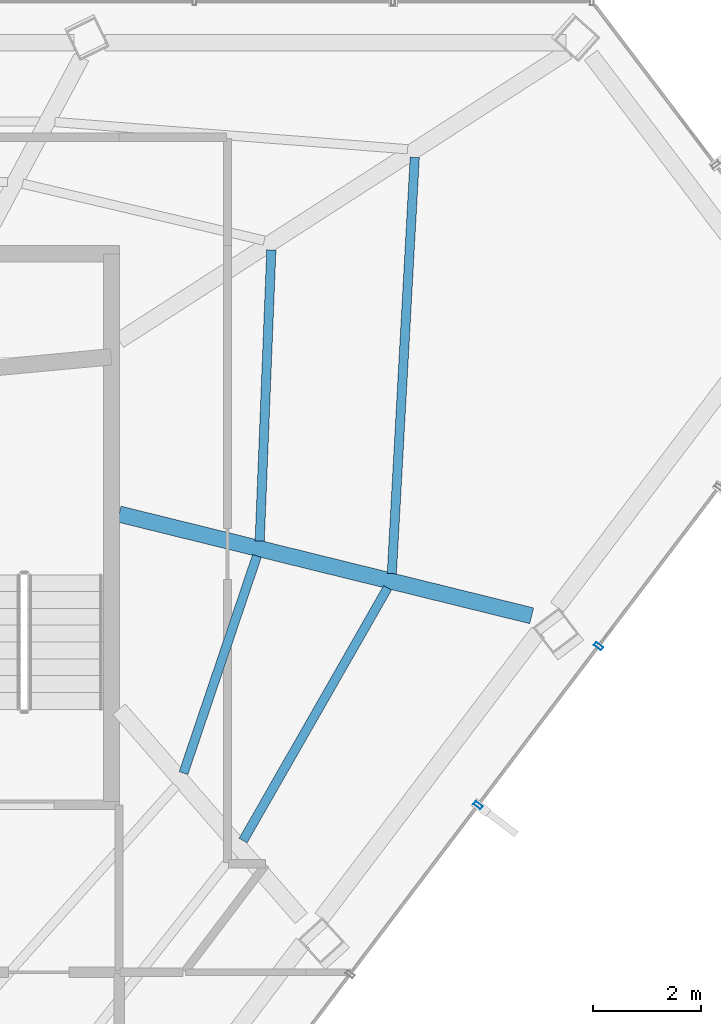
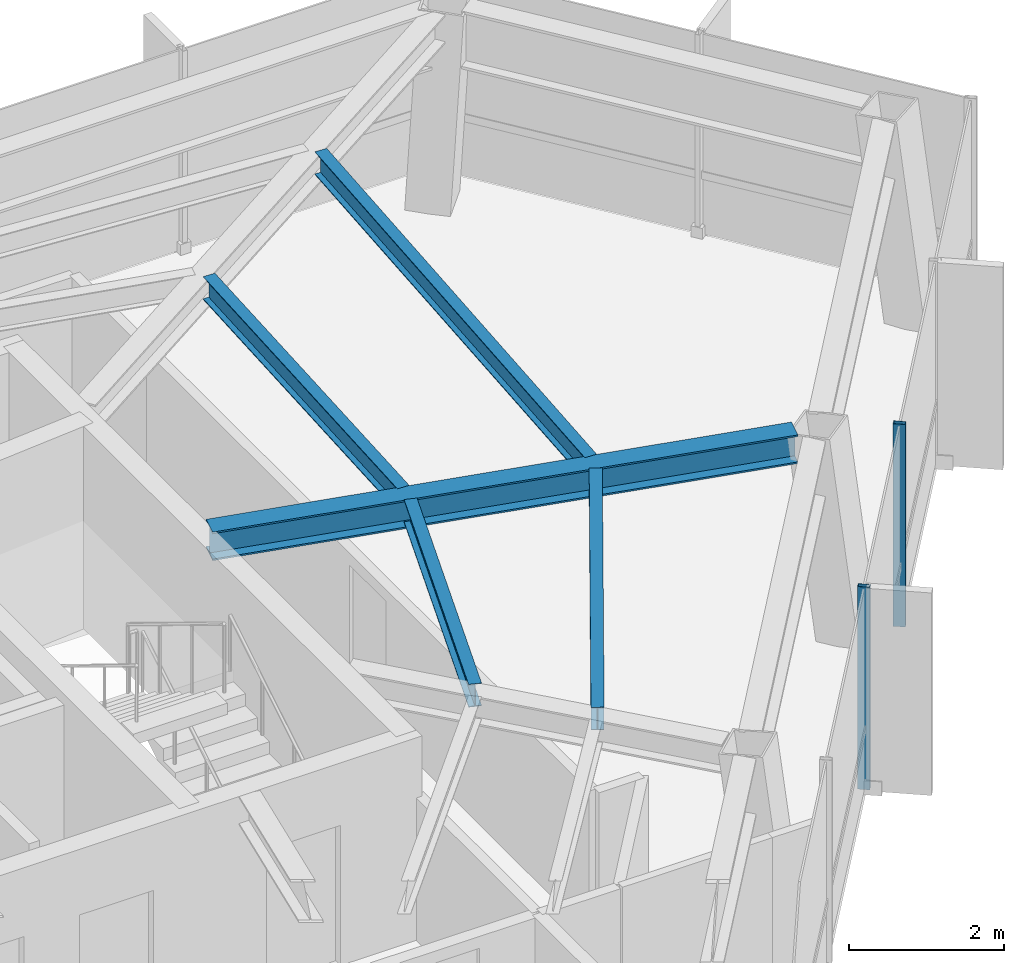
# One storey, part 17 of 25: 5 beams, 2 members, 1 element without a shape of its own.
"""IFC4 building model written with IfcOpenShell, lengths in metres."""

from ifc_helpers import new_model, si_unit, direction, frame, origin, origin_2d, place, context, subcontext, project, spatial, hollow_rectangle, i_section, extrude, material, layer, layer_set, material_profile, profile_set, type_object, element, aggregate, save


model = new_model("IFC4")

# Units and contexts
model_context = context("Model", 3, precision=1e-05, world=origin(), true_north=direction((0.0, 1.0)))
body_context = subcontext(model_context, "Body", "Model", "MODEL_VIEW")
ifc_project = project(units=[si_unit("LENGTHUNIT", "METRE"), si_unit("AREAUNIT", "SQUARE_METRE"), si_unit("VOLUMEUNIT", "CUBIC_METRE"), si_unit("PLANEANGLEUNIT", "RADIAN"), si_unit("MASSUNIT", "GRAM", prefix="KILO")], contexts=[model_context])

# Site, building, storey
site_placement = place(None, origin())
site = spatial("IfcSite", under=ifc_project, at=site_placement, CompositionType="ELEMENT")
building_placement = place(site_placement, origin())
building = spatial("IfcBuilding", under=site, at=building_placement, Name="Zarrinselat Tower", CompositionType="ELEMENT")
storey_placement = place(building_placement, frame((0.0, 0.0, 246.159912109375)))
storey = spatial("IfcBuildingStorey", under=building, at=storey_placement, Name="L62", CompositionType="ELEMENT", Elevation=246.159912109375)

# Beams
ifc_material_1 = material(Name="Steel S355J2", Category="steel")
ifc_material_profile_1 = material_profile(ifc_material_1, i_section(OverallWidth=0.300048828125, OverallDepth=0.449951171875, WebThickness=0.013916015625, FlangeThickness=0.02587890625, at=origin_2d()), Name="HEB 450")
ifc_profile_set_1 = profile_set([ifc_material_profile_1], Name="Steel S355J2")
beam_type_1 = type_object("IfcBeamType", Name="BM-HEB450", PredefinedType="BEAM", material=ifc_profile_set_1)
beam_1_placement = place(storey_placement, frame((48.35009765625, 38.60009765625, 2.955078125), z_axis=(0.970938071771, -0.239330860496, 0.0), x_axis=(0.239330860496, 0.970938071771, 0.0)))
element("IfcBeam", 1, at=beam_1_placement, inside=storey, type_object=beam_type_1, Name="L62 Radial Primary Girder RG14", PredefinedType="BEAM", context=body_context, shape_type="SweptSolid", body=[
    extrude(i_section(OverallWidth=0.300048828125, OverallDepth=0.449951171875, WebThickness=0.013916015625, FlangeThickness=0.02587890625, at=origin_2d()), origin(), (0.0, 0.0, 1.0), 7.83642578125),
])
ifc_material_2 = material(Name="Steel S355J2", Category="steel")
ifc_material_profile_2 = material_profile(ifc_material_2, i_section(OverallWidth=0.169921875, OverallDepth=0.360107421875, WebThickness=0.008056640625, FlangeThickness=0.0126953125, at=origin_2d()), Name="IPE 360")
ifc_profile_set_2 = profile_set([ifc_material_profile_2], Name="Steel S355J2")
beam_type_2 = type_object("IfcBeamType", Name="BM-IPE360", PredefinedType="JOIST", material=ifc_profile_set_2)
beam_2_placement = place(storey_placement, frame((50.63720703125, 32.578369140625, 3.0), z_axis=(0.496256433998, 0.868175991211, 0.0), x_axis=(-0.868175991211, 0.496256433998, 0.0)))
element("IfcBeam", 2, at=beam_2_placement, inside=storey, type_object=beam_type_2, Name="L62 Composite Floor Joist 4-1", PredefinedType="JOIST", context=body_context, shape_type="SweptSolid", body=[
    extrude(i_section(OverallWidth=0.169921875, OverallDepth=0.360107421875, WebThickness=0.008056640625, FlangeThickness=0.0126953125, at=origin_2d()), origin(), (0.0, 0.0, 1.0), 5.370361328125),
])
beam_3_placement = place(storey_placement, frame((49.537353515625, 33.822509765625, 3.0), z_axis=(0.320276679057, 0.947324046381, 0.0), x_axis=(-0.947324046381, 0.320276679057, 0.0)))
element("IfcBeam", 3, at=beam_3_placement, inside=storey, type_object=beam_type_2, Name="L62 Composite Floor Joist 4-2", PredefinedType="JOIST", context=body_context, shape_type="SweptSolid", body=[
    extrude(i_section(OverallWidth=0.169921875, OverallDepth=0.360107421875, WebThickness=0.008056640625, FlangeThickness=0.0126953125, at=origin_2d()), origin(), (0.0, 0.0, 1.0), 4.22998046875),
])
beam_4_placement = place(storey_placement, frame((53.37939453125, 37.501953125, 3.0), z_axis=(0.054998679933, 0.998486427151, 0.0), x_axis=(-0.998486427151, 0.054998679933, 0.0)))
element("IfcBeam", 4, at=beam_4_placement, inside=storey, type_object=beam_type_2, Name="L62 Composite Floor Joist 5-1", PredefinedType="JOIST", context=body_context, shape_type="SweptSolid", body=[
    extrude(i_section(OverallWidth=0.169921875, OverallDepth=0.360107421875, WebThickness=0.008056640625, FlangeThickness=0.0126953125, at=origin_2d()), origin(), (0.0, 0.0, 1.0), 7.6884765625),
])
beam_5_placement = place(storey_placement, frame((50.942626953125, 38.102294921875, 3.0), z_axis=(0.039928128619, 0.999202554313, 0.0), x_axis=(-0.999202554313, 0.039928128619, 0.0)))
element("IfcBeam", 5, at=beam_5_placement, inside=storey, type_object=beam_type_2, Name="L62 Composite Floor Joist 5-2", PredefinedType="JOIST", context=body_context, shape_type="SweptSolid", body=[
    extrude(i_section(OverallWidth=0.169921875, OverallDepth=0.360107421875, WebThickness=0.008056640625, FlangeThickness=0.0126953125, at=origin_2d()), origin(), (0.0, 0.0, 1.0), 5.374755859375),
])

# Curtain wall, members
ifc_material_3 = material(Name="Extruded Aluminium Alloy EN AW-6063 T6", Category="aluminium")
ifc_layer = layer(ifc_material_3, 0.169921875)
ifc_layer_set = layer_set([ifc_layer], Name="Extruded Aluminium Alloy EN AW-6063 T6")
curtain_wall_type = type_object("IfcCurtainWallType", Name="CWS-RES", PredefinedType="NOTDEFINED", material=ifc_layer_set)
curtain_wall_placement = place(storey_placement, origin())
curtain_wall = element("IfcCurtainWall", 6, at=curtain_wall_placement, inside=storey, type_object=curtain_wall_type, Name="L62 Unitised Curtain Wall CW-L62-E05", PredefinedType="NOTDEFINED")
ifc_material_4 = material(Name="Extruded Aluminium Alloy EN AW-6063 T6", Category="aluminium")
ifc_material_profile_3 = material_profile(ifc_material_4, hollow_rectangle(XDim=0.070068359375, YDim=0.159912109375, WallThickness=0.00390625, at=origin_2d()), Name="RHS 160x70x4")
ifc_profile_set_3 = profile_set([ifc_material_profile_3], Name="Extruded Aluminium Alloy EN AW-6063 T6")
member_type = type_object("IfcMemberType", Name="MEM-CW-MUL2", PredefinedType="MULLION", material=ifc_profile_set_3)
member_1_placement = place(storey_placement, frame((54.969970703125, 33.230224609375, 0.0), z_axis=(0.0, 0.0, 1.0), x_axis=(0.603858472709, 0.797091553674, 0.0)))
member_1 = element("IfcMember", 7, at=member_1_placement, type_object=member_type, Name="CW-L62-E05 Mullion 5", PredefinedType="MULLION", context=body_context, shape_type="SweptSolid", body=[
    extrude(hollow_rectangle(XDim=0.070068359375, YDim=0.159912109375, WallThickness=0.00390625, at=origin_2d()), origin(), (0.0, 0.0, 1.0), 3.18017578125),
])
member_2_placement = place(storey_placement, frame((57.1923828125, 36.163818359375, 0.0), z_axis=(0.0, 0.0, 1.0), x_axis=(0.603858472709, 0.797091553674, 0.0)))
member_2 = element("IfcMember", 8, at=member_2_placement, type_object=member_type, Name="CW-L62-E05 Mullion 6", PredefinedType="MULLION", context=body_context, shape_type="SweptSolid", body=[
    extrude(hollow_rectangle(XDim=0.070068359375, YDim=0.159912109375, WallThickness=0.00390625, at=origin_2d()), origin(), (0.0, 0.0, 1.0), 3.18017578125),
])
aggregate(curtain_wall, [member_1, member_2])

save(model, "model.ifc")
